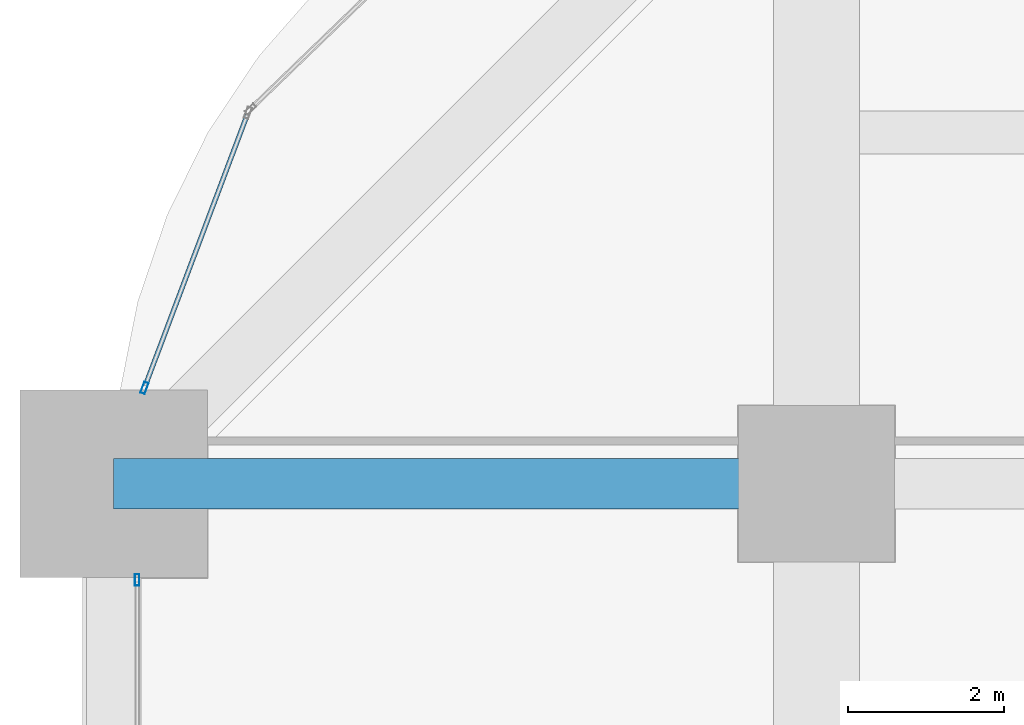
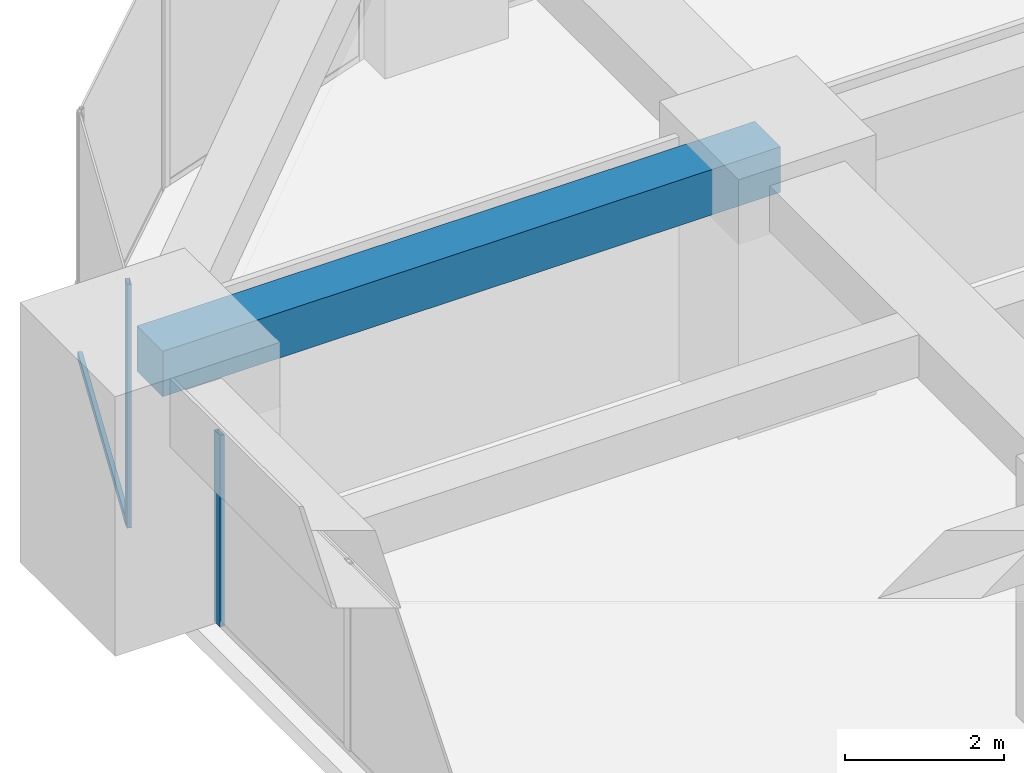
# One storey, part 24 of 39: 3 members, 1 beam, 2 elements without a shape of their own.
"""IFC4 building model written with IfcOpenShell, lengths in metres."""

from ifc_helpers import new_model, si_unit, direction, frame, origin, origin_2d, place, context, subcontext, project, spatial, rectangle, hollow_rectangle, extrude, material, material_profile, profile_set, type_object, element, aggregate, save


model = new_model("IFC4")

# Units and contexts
model_context = context("Model", 3, precision=1e-05, world=origin(), true_north=direction((0.0, 1.0)))
body_context = subcontext(model_context, "Body", "Model", "MODEL_VIEW")
ifc_project = project(units=[si_unit("LENGTHUNIT", "METRE"), si_unit("AREAUNIT", "SQUARE_METRE"), si_unit("VOLUMEUNIT", "CUBIC_METRE"), si_unit("PLANEANGLEUNIT", "RADIAN"), si_unit("MASSUNIT", "GRAM", prefix="KILO")], contexts=[model_context])

# Site, building, storey
site_placement = place(None, origin())
site = spatial("IfcSite", under=ifc_project, at=site_placement, CompositionType="ELEMENT")
building_placement = place(site_placement, origin())
building = spatial("IfcBuilding", under=site, at=building_placement, Name="Zorevar Civic Tower", CompositionType="ELEMENT")
storey_placement = place(building_placement, frame((0.0, 0.0, 117.0)))
storey = spatial("IfcBuildingStorey", under=building, at=storey_placement, Name="L28", CompositionType="ELEMENT", Elevation=117.0)

# Beam
ifc_material_1 = material(Name="Concrete C50/60", Category="concrete")
ifc_material_profile_1 = material_profile(ifc_material_1, rectangle(XDim=0.64990234375, YDim=0.699951171875, at=origin_2d()), Name="RC 650x700")
ifc_profile_set_1 = profile_set([ifc_material_profile_1], Name="Concrete C50/60")
beam_type = type_object("IfcBeamType", Name="Beam RC 650x700", PredefinedType="BEAM", material=ifc_profile_set_1)
beam_placement = place(storey_placement, frame((0.0, 36.0, 3.39990234375), z_axis=(1.0, 0.0, 0.0), x_axis=(0.0, 1.0, 0.0)))
element("IfcBeam", 1, at=beam_placement, inside=storey, type_object=beam_type, Name="Girder L29", PredefinedType="BEAM", context=body_context, shape_type="SweptSolid", body=[
    extrude(rectangle(XDim=0.64990234375, YDim=0.699951171875, at=origin_2d()), origin(), (0.0, 0.0, 1.0), 9.0),
])

# Curtain wall, member
ifc_material_2 = material(Name="Dark grey solar-control glass in black aluminium frame", Category="aluminium")
curtain_wall_type = type_object("IfcCurtainWallType", Name="Curtain wall CW3 mid zone", PredefinedType="NOTDEFINED", material=ifc_material_2)
curtain_wall_1_placement = place(storey_placement, origin())
curtain_wall_1 = element("IfcCurtainWall", 2, at=curtain_wall_1_placement, inside=storey, type_object=curtain_wall_type, Name="CW3 L28", PredefinedType="NOTDEFINED")
ifc_material_3 = material(Name="Aluminium, black anodised", Category="aluminium")
ifc_material_profile_2 = material_profile(ifc_material_3, hollow_rectangle(XDim=0.06005859375, YDim=0.14990234375, WallThickness=0.00390625, at=origin_2d()), Name="AL 150x60x4")
ifc_profile_set_2 = profile_set([ifc_material_profile_2], Name="Aluminium, black anodised")
member_type_1 = type_object("IfcMemberType", Name="CW3 mullion AL 150x60x4", PredefinedType="MULLION", material=ifc_profile_set_2)
member_1_placement = place(storey_placement, frame((0.300048828125, 34.77001953125, 0.0), z_axis=(0.0, 0.0, 1.0), x_axis=(-1.0, 0.0, 0.0)))
member_1 = element("IfcMember", 3, at=member_1_placement, type_object=member_type_1, Name="CW3 mullion 3", PredefinedType="MULLION", context=body_context, shape_type="SweptSolid", body=[
    extrude(hollow_rectangle(XDim=0.06005859375, YDim=0.14990234375, WallThickness=0.00390625, at=origin_2d()), origin(), (0.0, 0.0, 1.0), 2.949951171875),
])
aggregate(curtain_wall_1, [member_1])

# Curtain wall, members
curtain_wall_2_placement = place(storey_placement, origin())
curtain_wall_2 = element("IfcCurtainWall", 4, at=curtain_wall_2_placement, inside=storey, type_object=curtain_wall_type, Name="CW3 L28", PredefinedType="NOTDEFINED")
member_2_placement = place(storey_placement, frame((0.393798828125, 37.22802734375, 0.0), z_axis=(0.0, 0.0, 1.0), x_axis=(0.935950528564, -0.352131520999, 0.0)))
member_2 = element("IfcMember", 5, at=member_2_placement, type_object=member_type_1, Name="CW3 mullion 2", PredefinedType="MULLION", context=body_context, shape_type="SweptSolid", body=[
    extrude(hollow_rectangle(XDim=0.06005859375, YDim=0.14990234375, WallThickness=0.00390625, at=origin_2d()), origin(), (0.0, 0.0, 1.0), 3.75),
])
ifc_material_4 = material(Name="Aluminium, black anodised", Category="aluminium")
ifc_material_profile_3 = material_profile(ifc_material_4, hollow_rectangle(XDim=0.06005859375, YDim=0.1201171875, WallThickness=0.0029296875, at=origin_2d()), Name="AL 120x60x3")
ifc_profile_set_3 = profile_set([ifc_material_profile_3], Name="Aluminium, black anodised")
member_type_2 = type_object("IfcMemberType", Name="CW3 transom AL 120x60x3", PredefinedType="USERDEFINED", material=ifc_profile_set_3)
member_3_placement = place(storey_placement, frame((1.7080078125, 40.72119140625, 0.030029296875), z_axis=(-0.352142207579, -0.935946507895, 0.0), x_axis=(0.935946507895, -0.352142207579, 0.0)))
member_3 = element("IfcMember", 6, at=member_3_placement, type_object=member_type_2, Name="CW3 sill transom", ObjectType="TRANSOM", PredefinedType="USERDEFINED", context=body_context, shape_type="SweptSolid", body=[
    extrude(hollow_rectangle(XDim=0.06005859375, YDim=0.1201171875, WallThickness=0.0029296875, at=origin_2d()), origin(), (0.0, 0.0, 1.0), 3.7021484375),
])
aggregate(curtain_wall_2, [member_2, member_3])

save(model, "model.ifc")
